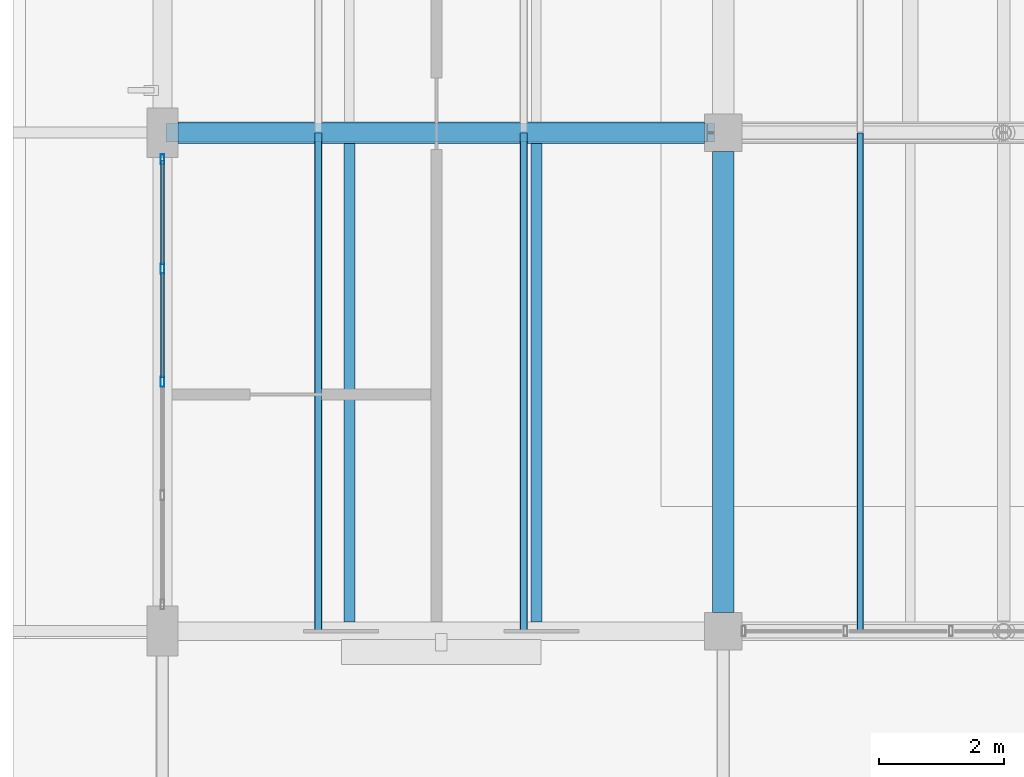
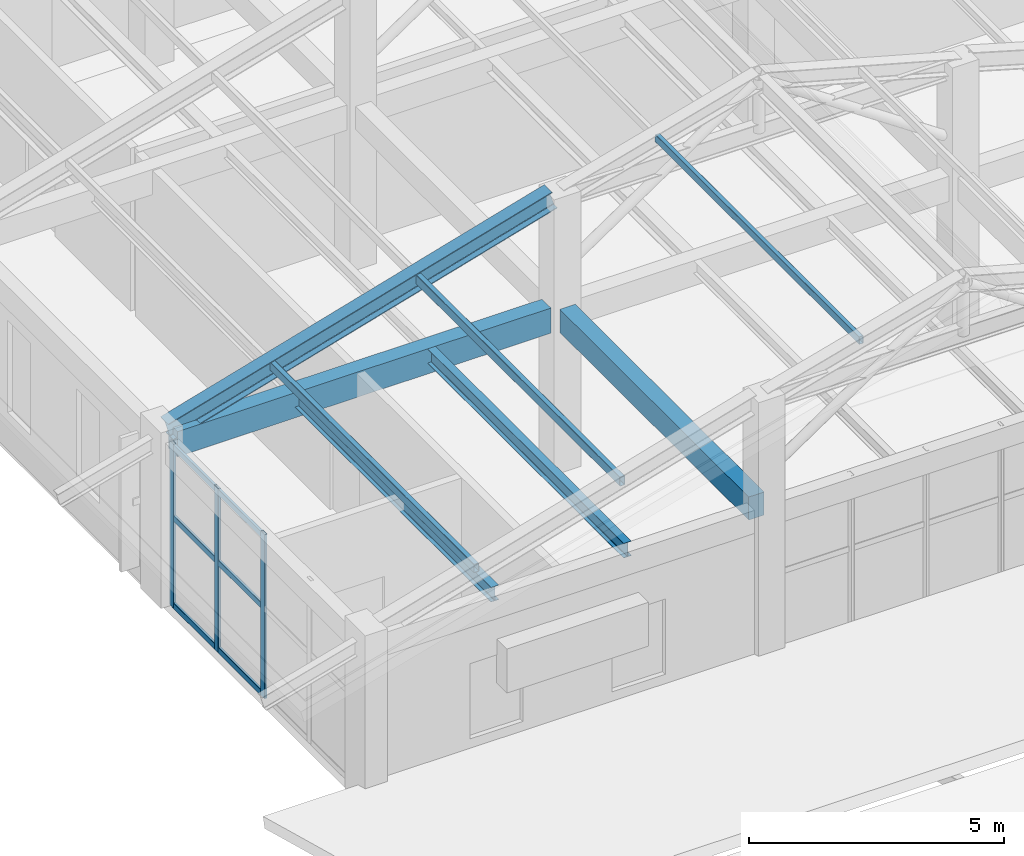
# One storey, part 12 of 58: 12 members, 5 beams, 1 element without a shape of its own.
"""IFC4 building model written with IfcOpenShell, lengths in metres."""

from ifc_helpers import new_model, si_unit, derived_unit, direction, frame, origin, origin_2d, place, context, subcontext, project, spatial, rectangle, hollow_rectangle, i_section, extrude, material, material_profile, profile_set, type_object, element, aggregate, save


model = new_model("IFC4")

# Units and contexts
model_context = context("Model", 3, precision=1e-05, world=origin(), true_north=direction((0.0, 1.0)))
body_context = subcontext(model_context, "Body", "Model", "MODEL_VIEW")
ifc_project = project(units=[si_unit("LENGTHUNIT", "METRE"), si_unit("AREAUNIT", "SQUARE_METRE"), si_unit("VOLUMEUNIT", "CUBIC_METRE"), si_unit("PLANEANGLEUNIT", "RADIAN"), si_unit("MASSUNIT", "GRAM", prefix="KILO"), derived_unit("THERMALTRANSMITTANCEUNIT", [(si_unit("MASSUNIT", "GRAM", prefix="KILO"), 1), (si_unit("TIMEUNIT", "SECOND"), -3), (si_unit("THERMODYNAMICTEMPERATUREUNIT", "KELVIN"), -1)])], contexts=[model_context])

# Site, building, storey
site_placement = place(None, origin())
site = spatial("IfcSite", under=ifc_project, at=site_placement, CompositionType="ELEMENT")
building_placement = place(site_placement, origin())
building = spatial("IfcBuilding", under=site, at=building_placement, Name="Zhenchuan Archway Interchange", CompositionType="ELEMENT")
storey_placement = place(building_placement, frame((0.0, 0.0, 22.800048828125)))
storey = spatial("IfcBuildingStorey", under=building, at=storey_placement, Name="L05", CompositionType="ELEMENT", Elevation=22.800048828125)

# Beams
ifc_material_1 = material(Name="Concrete C40", Category="concrete")
ifc_material_profile_1 = material_profile(ifc_material_1, rectangle(XDim=0.35009765625, YDim=0.550048828125, at=origin_2d()), Name="RC 350x550")
ifc_profile_set_1 = profile_set([ifc_material_profile_1], Name="Concrete C40")
beam_type_1 = type_object("IfcBeamType", Name="BM_RC_350x550", PredefinedType="BEAM", material=ifc_profile_set_1)
beam_1_placement = place(storey_placement, frame((153.0, 24.300048828125, 3.64501953125), z_axis=(0.0, 1.0, 0.0), x_axis=(-1.0, 0.0, 0.0)))
element("IfcBeam", 1, at=beam_1_placement, inside=storey, type_object=beam_type_1, Name="Beam 18:D-E (L05)", PredefinedType="BEAM", context=body_context, shape_type="SweptSolid", body=[
    extrude(rectangle(XDim=0.35009765625, YDim=0.550048828125, at=origin_2d()), origin(), (0.0, 0.0, 1.0), 7.39990234375),
])
ifc_material_profile_2 = material_profile(ifc_material_1, rectangle(XDim=0.35009765625, YDim=0.60009765625, at=origin_2d()), Name="RC 350x600")
ifc_profile_set_2 = profile_set([ifc_material_profile_2], Name="Concrete C40")
beam_type_2 = type_object("IfcBeamType", Name="BM_RC_350x600", PredefinedType="BEAM", material=ifc_profile_set_2)
beam_2_placement = place(storey_placement, frame((144.25, 32.0, 3.619873046875), z_axis=(1.0, 0.0, 0.0), x_axis=(0.0, 1.0, 0.0)))
element("IfcBeam", 2, at=beam_2_placement, inside=storey, type_object=beam_type_2, Name="Beam E:17-18 (L05)", PredefinedType="BEAM", context=body_context, shape_type="SweptSolid", body=[
    extrude(rectangle(XDim=0.35009765625, YDim=0.60009765625, at=origin_2d()), origin(), (0.0, 0.0, 1.0), 8.449951171875),
])
ifc_material_2 = material(Name="Steel Q355", Category="steel")
ifc_material_profile_3 = material_profile(ifc_material_2, i_section(OverallWidth=0.300048828125, OverallDepth=0.43994140625, WebThickness=0.010986328125, FlangeThickness=0.01806640625, FilletRadius=0.02197265625, at=origin_2d()), Name="HM 440x300")
ifc_profile_set_3 = profile_set([ifc_material_profile_3], Name="Steel Q355")
beam_type_3 = type_object("IfcBeamType", Name="BM_STL_HM440", PredefinedType="BEAM", material=ifc_profile_set_3)
beam_3_placement = place(storey_placement, frame((144.1201171875, 32.0, 3.93994140625), z_axis=(0.960641143949, 0.0, 0.277792355102), x_axis=(0.0, 1.0, 0.0)))
element("IfcBeam", 3, at=beam_3_placement, inside=storey, type_object=beam_type_3, Name="ROOF TRUSS command wing T2 west lower rafter", PredefinedType="BEAM", context=body_context, shape_type="SweptSolid", body=[
    extrude(i_section(OverallWidth=0.300048828125, OverallDepth=0.43994140625, WebThickness=0.010986328125, FlangeThickness=0.01806640625, FilletRadius=0.02197265625, at=origin_2d()), origin(), (0.0, 0.0, 1.0), 9.03564453125),
])

# Curtain wall, members
ifc_material_3 = material(Name="Anodised Aluminium", Category="aluminium")
curtain_wall_type = type_object("IfcCurtainWallType", Name="CW_UNIT_2", PredefinedType="NOTDEFINED", material=ifc_material_3)
curtain_wall_placement = place(storey_placement, origin())
curtain_wall = element("IfcCurtainWall", 4, at=curtain_wall_placement, inside=storey, type_object=curtain_wall_type, Name="Unitised curtain wall CW:L05:201", PredefinedType="NOTDEFINED")
ifc_material_profile_4 = material_profile(ifc_material_3, hollow_rectangle(XDim=0.06005859375, YDim=0.159912109375, WallThickness=0.00390625, InnerFilletRadius=0.00390625, OuterFilletRadius=0.008056640625, at=origin_2d()), Name="ALU 160x60x4")
ifc_profile_set_4 = profile_set([ifc_material_profile_4], Name="Anodised Aluminium")
member_type_1 = type_object("IfcMemberType", Name="CW_MUL_150", PredefinedType="MULLION", material=ifc_profile_set_4)
member_1_placement = place(storey_placement, frame((144.0, 28.0, 0.0), z_axis=(0.0, 0.0, 1.0), x_axis=(1.0, 0.0, 0.0)))
member_1 = element("IfcMember", 5, at=member_1_placement, type_object=member_type_1, Name="CW:L05:201 mullion 2", PredefinedType="MULLION", context=body_context, shape_type="SweptSolid", body=[
    extrude(hollow_rectangle(XDim=0.06005859375, YDim=0.159912109375, WallThickness=0.00390625, InnerFilletRadius=0.00390625, OuterFilletRadius=0.008056640625, at=origin_2d()), origin(), (0.0, 0.0, 1.0), 3.919921875),
])
member_2_placement = place(storey_placement, frame((144.0, 29.81591796875, 0.0), z_axis=(0.0, 0.0, 1.0), x_axis=(1.0, 0.0, 0.0)))
member_2 = element("IfcMember", 6, at=member_2_placement, type_object=member_type_1, Name="CW:L05:201 mullion 3", PredefinedType="MULLION", context=body_context, shape_type="SweptSolid", body=[
    extrude(hollow_rectangle(XDim=0.06005859375, YDim=0.159912109375, WallThickness=0.00390625, InnerFilletRadius=0.00390625, OuterFilletRadius=0.008056640625, at=origin_2d()), origin(), (0.0, 0.0, 1.0), 3.919921875),
])
member_3_placement = place(storey_placement, frame((144.0, 31.572021484375, 0.0), z_axis=(0.0, 0.0, 1.0), x_axis=(1.0, 0.0, 0.0)))
member_3 = element("IfcMember", 7, at=member_3_placement, type_object=member_type_1, Name="CW:L05:201 mullion 4", PredefinedType="MULLION", context=body_context, shape_type="SweptSolid", body=[
    extrude(hollow_rectangle(XDim=0.06005859375, YDim=0.159912109375, WallThickness=0.00390625, InnerFilletRadius=0.00390625, OuterFilletRadius=0.008056640625, at=origin_2d()), origin(), (0.0, 0.0, 1.0), 3.919921875),
])
ifc_material_profile_5 = material_profile(ifc_material_3, hollow_rectangle(XDim=0.06005859375, YDim=0.139892578125, WallThickness=0.00341796875, InnerFilletRadius=0.00341796875, OuterFilletRadius=0.007080078125, at=origin_2d()), Name="ALU 140x60x3.5")
ifc_profile_set_5 = profile_set([ifc_material_profile_5], Name="Anodised Aluminium")
member_type_2 = type_object("IfcMemberType", Name="CW_TRN_140", PredefinedType="USERDEFINED", material=ifc_profile_set_5)
member_4_placement = place(storey_placement, frame((144.0, 28.06005859375, 0.06005859375), z_axis=(0.0, 1.0, 0.0), x_axis=(-1.0, 0.0, 0.0)))
member_4 = element("IfcMember", 8, at=member_4_placement, type_object=member_type_2, Name="CW:L05:201 transom 2-1", ObjectType="TRANSOM", PredefinedType="USERDEFINED", context=body_context, shape_type="SweptSolid", body=[
    extrude(hollow_rectangle(XDim=0.06005859375, YDim=0.139892578125, WallThickness=0.00341796875, InnerFilletRadius=0.00341796875, OuterFilletRadius=0.007080078125, at=origin_2d()), origin(), (0.0, 0.0, 1.0), 1.696044921875),
])
member_5_placement = place(storey_placement, frame((144.0, 28.06005859375, 2.14501953125), z_axis=(0.0, 1.0, 0.0), x_axis=(-1.0, 0.0, 0.0)))
member_5 = element("IfcMember", 9, at=member_5_placement, type_object=member_type_2, Name="CW:L05:201 transom 2-2", ObjectType="TRANSOM", PredefinedType="USERDEFINED", context=body_context, shape_type="SweptSolid", body=[
    extrude(hollow_rectangle(XDim=0.06005859375, YDim=0.139892578125, WallThickness=0.00341796875, InnerFilletRadius=0.00341796875, OuterFilletRadius=0.007080078125, at=origin_2d()), origin(), (0.0, 0.0, 1.0), 1.696044921875),
])
member_6_placement = place(storey_placement, frame((144.0, 28.06005859375, 3.83984375), z_axis=(0.0, 1.0, 0.0), x_axis=(-1.0, 0.0, 0.0)))
member_6 = element("IfcMember", 10, at=member_6_placement, type_object=member_type_2, Name="CW:L05:201 transom 2-3", ObjectType="TRANSOM", PredefinedType="USERDEFINED", context=body_context, shape_type="SweptSolid", body=[
    extrude(hollow_rectangle(XDim=0.06005859375, YDim=0.139892578125, WallThickness=0.00341796875, InnerFilletRadius=0.00341796875, OuterFilletRadius=0.007080078125, at=origin_2d()), origin(), (0.0, 0.0, 1.0), 1.696044921875),
])
member_7_placement = place(storey_placement, frame((144.0, 29.8759765625, 0.06005859375), z_axis=(0.0, 1.0, 0.0), x_axis=(-1.0, 0.0, 0.0)))
member_7 = element("IfcMember", 11, at=member_7_placement, type_object=member_type_2, Name="CW:L05:201 transom 3-1", ObjectType="TRANSOM", PredefinedType="USERDEFINED", context=body_context, shape_type="SweptSolid", body=[
    extrude(hollow_rectangle(XDim=0.06005859375, YDim=0.139892578125, WallThickness=0.00341796875, InnerFilletRadius=0.00341796875, OuterFilletRadius=0.007080078125, at=origin_2d()), origin(), (0.0, 0.0, 1.0), 1.676025390625),
])
member_8_placement = place(storey_placement, frame((144.0, 29.8759765625, 2.14501953125), z_axis=(0.0, 1.0, 0.0), x_axis=(-1.0, 0.0, 0.0)))
member_8 = element("IfcMember", 12, at=member_8_placement, type_object=member_type_2, Name="CW:L05:201 transom 3-2", ObjectType="TRANSOM", PredefinedType="USERDEFINED", context=body_context, shape_type="SweptSolid", body=[
    extrude(hollow_rectangle(XDim=0.06005859375, YDim=0.139892578125, WallThickness=0.00341796875, InnerFilletRadius=0.00341796875, OuterFilletRadius=0.007080078125, at=origin_2d()), origin(), (0.0, 0.0, 1.0), 1.676025390625),
])
member_9_placement = place(storey_placement, frame((144.0, 29.8759765625, 3.83984375), z_axis=(0.0, 1.0, 0.0), x_axis=(-1.0, 0.0, 0.0)))
member_9 = element("IfcMember", 13, at=member_9_placement, type_object=member_type_2, Name="CW:L05:201 transom 3-3", ObjectType="TRANSOM", PredefinedType="USERDEFINED", context=body_context, shape_type="SweptSolid", body=[
    extrude(hollow_rectangle(XDim=0.06005859375, YDim=0.139892578125, WallThickness=0.00341796875, InnerFilletRadius=0.00341796875, OuterFilletRadius=0.007080078125, at=origin_2d()), origin(), (0.0, 0.0, 1.0), 1.676025390625),
])
aggregate(curtain_wall, [member_1, member_2, member_3, member_4, member_5, member_6, member_7, member_8, member_9])

# Beams
ifc_material_profile_6 = material_profile(ifc_material_2, i_section(OverallWidth=0.175048828125, OverallDepth=0.35009765625, WebThickness=0.007080078125, FlangeThickness=0.010986328125, FilletRadius=0.013916015625, at=origin_2d()), Name="HN 350x175")
ifc_profile_set_6 = profile_set([ifc_material_profile_6], Name="Steel Q355")
beam_type_4 = type_object("IfcBeamType", Name="JST_STL_HN350", PredefinedType="JOIST", material=ifc_profile_set_6)
for number, where, z_axis, x_axis, name in (
    (14, (147.0, 24.14990234375, 3.744873046875), (0.0, 1.0, 0.0), (-1.0, 0.0, 0.0), "Secondary joist 17-18/D-E #1 (L05)"),
    (15, (150.0, 24.14990234375, 3.744873046875), (0.0, 1.0, 0.0), (-1.0, 0.0, 0.0), "Secondary joist 17-18/D-E #2 (L05)"),
):
    element("IfcBeam", number, at=place(storey_placement, frame(where, z_axis=z_axis, x_axis=x_axis)), inside=storey, type_object=beam_type_4, Name=name, PredefinedType="JOIST", context=body_context, shape_type="SweptSolid", body=[
        extrude(i_section(OverallWidth=0.175048828125, OverallDepth=0.35009765625, WebThickness=0.007080078125, FlangeThickness=0.010986328125, FilletRadius=0.013916015625, at=origin_2d()), origin(), (0.0, 0.0, 1.0), 7.675048828125),
    ])

# Members
ifc_material_profile_7 = material_profile(ifc_material_2, hollow_rectangle(XDim=0.10009765625, YDim=0.179931640625, WallThickness=0.006103515625, InnerFilletRadius=0.006103515625, OuterFilletRadius=0.011962890625, at=origin_2d()), Name="RHS 180x100x6")
ifc_profile_set_7 = profile_set([ifc_material_profile_7], Name="Steel Q355")
member_type_3 = type_object("IfcMemberType", Name="MB_RHS180", PredefinedType="PURLIN", material=ifc_profile_set_7)
member_10_placement = place(storey_placement, frame((155.199951171875, 24.008056640625, 7.02001953125), z_axis=(0.0, 1.0, 0.0), x_axis=(-1.0, 0.0, 0.0)))
element("IfcMember", 16, at=member_10_placement, inside=storey, type_object=member_type_3, Name="Command wing roof purlin B1-P3", PredefinedType="PURLIN", context=body_context, shape_type="SweptSolid", body=[
    extrude(hollow_rectangle(XDim=0.10009765625, YDim=0.179931640625, WallThickness=0.006103515625, InnerFilletRadius=0.006103515625, OuterFilletRadius=0.011962890625, at=origin_2d()), origin(), (0.0, 0.0, 1.0), 7.98388671875),
])
ifc_material_profile_8 = material_profile(ifc_material_2, hollow_rectangle(XDim=0.1201171875, YDim=0.199951171875, WallThickness=0.008056640625, InnerFilletRadius=0.008056640625, OuterFilletRadius=0.01611328125, at=origin_2d()), Name="RHS 200x120x8")
ifc_profile_set_8 = profile_set([ifc_material_profile_8], Name="Steel Q355")
member_type_4 = type_object("IfcMemberType", Name="MB_RHS200", PredefinedType="PURLIN", material=ifc_profile_set_8)
member_11_placement = place(storey_placement, frame((146.5, 24.008056640625, 4.619873046875), z_axis=(0.0, 1.0, 0.0), x_axis=(-1.0, 0.0, 0.0)))
element("IfcMember", 17, at=member_11_placement, inside=storey, type_object=member_type_4, Name="Command wing roof purlin B1-P1", PredefinedType="PURLIN", context=body_context, shape_type="SweptSolid", body=[
    extrude(hollow_rectangle(XDim=0.1201171875, YDim=0.199951171875, WallThickness=0.008056640625, InnerFilletRadius=0.008056640625, OuterFilletRadius=0.01611328125, at=origin_2d()), origin(), (0.0, 0.0, 1.0), 7.98388671875),
])
ifc_material_profile_9 = material_profile(ifc_material_2, hollow_rectangle(XDim=0.1201171875, YDim=0.219970703125, WallThickness=0.008056640625, InnerFilletRadius=0.008056640625, OuterFilletRadius=0.01611328125, at=origin_2d()), Name="RHS 220x120x8")
ifc_profile_set_9 = profile_set([ifc_material_profile_9], Name="Steel Q355")
member_type_5 = type_object("IfcMemberType", Name="MB_RHS220", PredefinedType="PURLIN", material=ifc_profile_set_9)
member_12_placement = place(storey_placement, frame((149.800048828125, 24.008056640625, 5.5400390625), z_axis=(0.0, 1.0, 0.0), x_axis=(-1.0, 0.0, 0.0)))
element("IfcMember", 18, at=member_12_placement, inside=storey, type_object=member_type_5, Name="Command wing roof purlin B1-P2", PredefinedType="PURLIN", context=body_context, shape_type="SweptSolid", body=[
    extrude(hollow_rectangle(XDim=0.1201171875, YDim=0.219970703125, WallThickness=0.008056640625, InnerFilletRadius=0.008056640625, OuterFilletRadius=0.01611328125, at=origin_2d()), origin(), (0.0, 0.0, 1.0), 7.98388671875),
])

save(model, "model.ifc")
